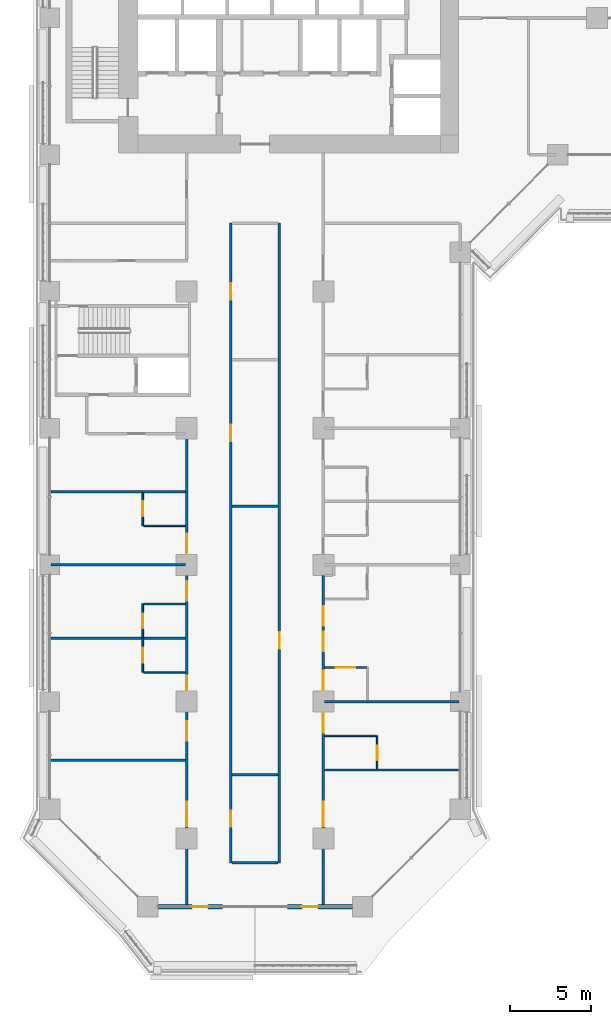
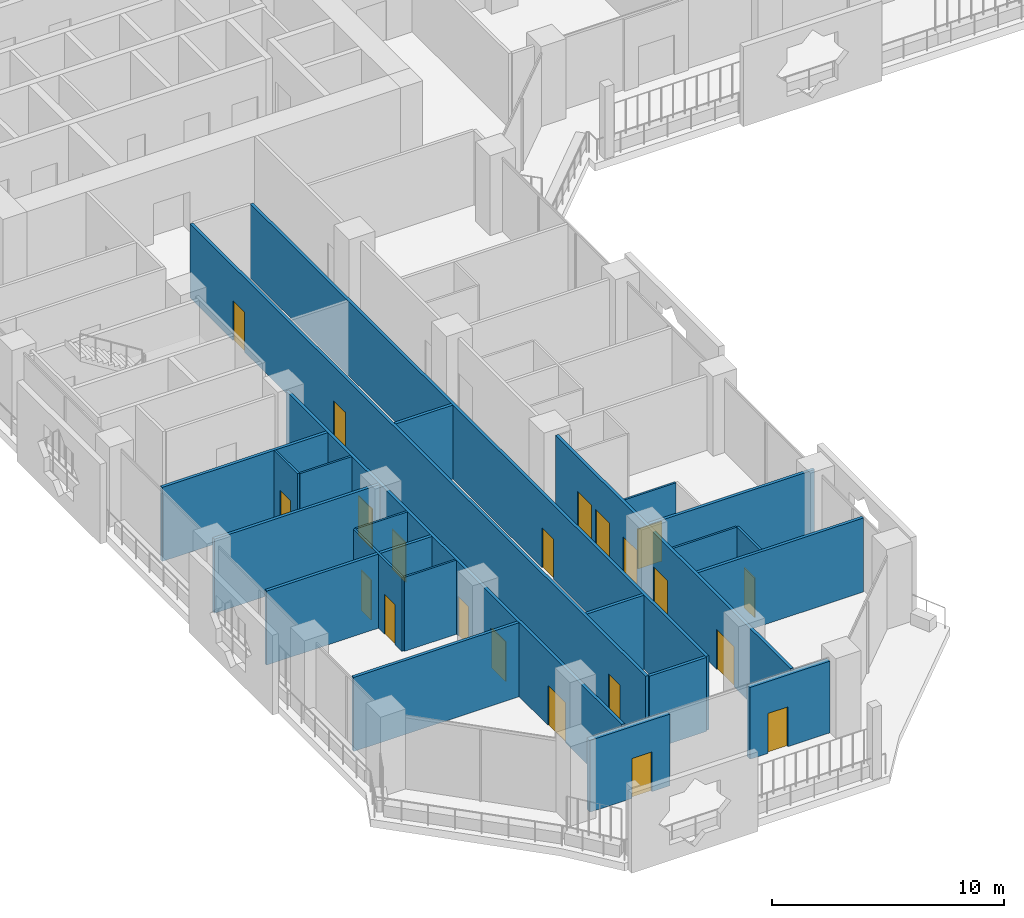
# One storey, part 13 of 27: 23 walls, 21 doors, 21 openings.
"""IFC4 building model written with IfcOpenShell, lengths in metres."""

from ifc_helpers import new_model, si_unit, direction, frame, frame_2d, origin, place, context, subcontext, project, spatial, rectangle, extrude, material, layer, layer_set, type_object, element, fill, save


model = new_model("IFC4")

# Units and contexts
model_context = context("Model", 3, precision=1e-05, world=origin(), true_north=direction((0.0, 1.0)))
body_context = subcontext(model_context, "Body", "Model", "MODEL_VIEW")
ifc_project = project(units=[si_unit("LENGTHUNIT", "METRE"), si_unit("AREAUNIT", "SQUARE_METRE"), si_unit("VOLUMEUNIT", "CUBIC_METRE"), si_unit("PLANEANGLEUNIT", "RADIAN"), si_unit("MASSUNIT", "GRAM", prefix="KILO")], contexts=[model_context])

# Site, building, storey
site_placement = place(None, origin())
site = spatial("IfcSite", under=ifc_project, at=site_placement, CompositionType="ELEMENT")
building_placement = place(site_placement, origin())
building = spatial("IfcBuilding", under=site, at=building_placement, Name="Kawkab Arch Medical Tower", CompositionType="ELEMENT")
storey_placement = place(building_placement, frame((0.0, 0.0, 85.39990234375)))
storey = spatial("IfcBuildingStorey", under=building, at=storey_placement, Name="L19", CompositionType="ELEMENT", Elevation=85.39990234375)

# Wall, opening, door
ifc_material_1 = material(Name="Bronze clad insulated wall panel")
ifc_layer_1 = layer(ifc_material_1, 0.25)
ifc_layer_set_1 = layer_set([ifc_layer_1], Name="Bronze clad insulated wall panel")
wall_type_1 = type_object("IfcWallType", Name="External wall bay 250", PredefinedType="SOLIDWALL", material=ifc_layer_set_1)
wall_1_placement = place(storey_placement, frame((6.625, -71.39990234375, 0.0), z_axis=(0.0, 0.0, 1.0), x_axis=(1.0, 0.0, 0.0)))
wall_1 = element("IfcWall", 1, at=wall_1_placement, inside=storey, type_object=wall_type_1, Name="External wall bay L19.R03.1.1", PredefinedType="SOLIDWALL", context=body_context, shape_type="SweptSolid", body=[
    extrude(rectangle(XDim=3.9833984375, YDim=0.25, at=frame_2d((1.99169921875, 0.0))), origin(), (0.0, 0.0, 1.0), 3.780029296875),
])
opening_1_placement = place(wall_1_placement, frame((2.091796875, 0.0, 0.0)))
opening_1 = element("IfcOpeningElement", 2, at=opening_1_placement, cuts=wall_1, Name="Opening W15B-701", PredefinedType="OPENING", context=body_context, shape_type="SweptSolid", body=[
    extrude(rectangle(XDim=1.0, YDim=2.10009765625, at=frame_2d((0.5, 1.050048828125))), frame((0.0, 0.135009765625, 0.0), z_axis=(0.0, -1.0, 0.0), x_axis=(1.0, 0.0, 0.0)), (0.0, 0.0, 1.0), 0.27001953125),
])
ifc_material_2 = material(Name="Bronze anodised aluminium door with tinted glass", Category="aluminium")
door_type_1 = type_object("IfcDoorType", Name="Single external door 1000 x 2100", OperationType="SINGLE_SWING_LEFT", PredefinedType="DOOR", material=ifc_material_2)
door_1_placement = place(opening_1_placement, origin())
door_1 = element("IfcDoor", 3, at=door_1_placement, inside=storey, type_object=door_type_1, Name="External door L19.R03.1.1", OperationType="SINGLE_SWING_LEFT", OverallHeight=2.10009765625, OverallWidth=1.0, PredefinedType="DOOR", context=body_context, shape_type="SweptSolid", body=[
    extrude(rectangle(XDim=1.0, YDim=2.10009765625, at=frame_2d((0.5, 1.050048828125))), frame((0.0, 0.02490234375, 0.0), z_axis=(0.0, -1.0, 0.0), x_axis=(1.0, 0.0, 0.0)), (0.0, 0.0, 1.0), 0.050048828125),
])
fill(opening_1, door_1)

wall_2_placement = place(storey_placement, frame((14.591552734375, -71.39990234375, 0.0), z_axis=(0.0, 0.0, 1.0), x_axis=(1.0, 0.0, 0.0)))
wall_2 = element("IfcWall", 4, at=wall_2_placement, inside=storey, type_object=wall_type_1, Name="External wall bay L19.R03.1.3", PredefinedType="SOLIDWALL", context=body_context, shape_type="SweptSolid", body=[
    extrude(rectangle(XDim=3.9833984375, YDim=0.25, at=frame_2d((1.99169921875, 0.0))), origin(), (0.0, 0.0, 1.0), 3.780029296875),
])
opening_2_placement = place(wall_2_placement, frame((0.8916015625, 0.0, 0.0)))
opening_2 = element("IfcOpeningElement", 5, at=opening_2_placement, cuts=wall_2, Name="Opening W15B-701", PredefinedType="OPENING", context=body_context, shape_type="SweptSolid", body=[
    extrude(rectangle(XDim=1.0, YDim=2.10009765625, at=frame_2d((0.5, 1.050048828125))), frame((0.0, 0.135009765625, 0.0), z_axis=(0.0, -1.0, 0.0), x_axis=(1.0, 0.0, 0.0)), (0.0, 0.0, 1.0), 0.27001953125),
])
door_2_placement = place(opening_2_placement, origin())
door_2 = element("IfcDoor", 6, at=door_2_placement, inside=storey, type_object=door_type_1, Name="External door L19.R03.1.3", OperationType="SINGLE_SWING_LEFT", OverallHeight=2.10009765625, OverallWidth=1.0, PredefinedType="DOOR", context=body_context, shape_type="SweptSolid", body=[
    extrude(rectangle(XDim=1.0, YDim=2.10009765625, at=frame_2d((0.5, 1.050048828125))), frame((0.0, 0.02490234375, 0.0), z_axis=(0.0, -1.0, 0.0), x_axis=(1.0, 0.0, 0.0)), (0.0, 0.0, 1.0), 0.050048828125),
])
fill(opening_2, door_2)

# Walls
ifc_material_3 = material(Name="Gypsum board partition on steel studs", Category="steel")
ifc_layer_2 = layer(ifc_material_3, 0.10009765625)
ifc_layer_set_2 = layer_set([ifc_layer_2], Name="Gypsum board partition on steel studs")
wall_type_2 = type_object("IfcWallType", Name="Partition 100", PredefinedType="PARTITIONING", material=ifc_layer_set_2)
wall_3_placement = place(storey_placement, frame((16.875, -60.89990234375, 0.0), z_axis=(0.0, 0.0, 1.0), x_axis=(1.0, 0.0, 0.0)))
element("IfcWall", 7, at=wall_3_placement, inside=storey, type_object=wall_type_2, Name="Partition 100 w001", PredefinedType="PARTITIONING", context=body_context, shape_type="SweptSolid", body=[
    extrude(rectangle(XDim=3.175048828125, YDim=0.10009765625, at=frame_2d((1.58740234375, 0.0))), origin(), (0.0, 0.0, 1.0), 3.900146484375),
])
wall_4_placement = place(storey_placement, frame((5.7509765625, -57.0, 0.0), z_axis=(0.0, 0.0, 1.0), x_axis=(1.0, 0.0, 0.0)))
element("IfcWall", 8, at=wall_4_placement, inside=storey, type_object=wall_type_2, Name="Partition 100 w002", PredefinedType="PARTITIONING", context=body_context, shape_type="SweptSolid", body=[
    extrude(rectangle(XDim=2.573974609375, YDim=0.10009765625, at=frame_2d((1.287109375, 0.0))), origin(), (0.0, 0.0, 1.0), 3.900146484375),
])

# Wall, opening, door
wall_5_placement = place(storey_placement, frame((16.875, -56.699951171875, 0.0), z_axis=(0.0, 0.0, 1.0), x_axis=(1.0, 0.0, 0.0)))
wall_5 = element("IfcWall", 9, at=wall_5_placement, inside=storey, type_object=wall_type_2, Name="Partition 100 w003", PredefinedType="PARTITIONING", context=body_context, shape_type="SweptSolid", body=[
    extrude(rectangle(XDim=2.574951171875, YDim=0.10009765625, at=frame_2d((1.28759765625, 0.0))), origin(), (0.0, 0.0, 1.0), 3.900146484375),
])
opening_3_placement = place(wall_5_placement, frame((0.675048828125, 0.0, 0.0)))
opening_3 = element("IfcOpeningElement", 10, at=opening_3_placement, cuts=wall_5, Name="Opening W15B-068", PredefinedType="OPENING", context=body_context, shape_type="SweptSolid", body=[
    extrude(rectangle(XDim=1.199951171875, YDim=2.10009765625, at=frame_2d((0.60009765625, 1.050048828125))), frame((0.0, 0.06005859375, 0.0), z_axis=(0.0, -1.0, 0.0), x_axis=(1.0, 0.0, 0.0)), (0.0, 0.0, 1.0), 0.1201171875),
])
ifc_material_4 = material(Name="Timber door leaf", Category="wood")
door_type_2 = type_object("IfcDoorType", Name="Single door 1200x2100", OperationType="NOTDEFINED", PredefinedType="DOOR", material=ifc_material_4)
door_3_placement = place(opening_3_placement, origin())
door_3 = element("IfcDoor", 11, at=door_3_placement, inside=storey, type_object=door_type_2, Name="Door W15B-068", OperationType="SINGLE_SWING_RIGHT", OverallHeight=2.10009765625, OverallWidth=1.199951171875, PredefinedType="DOOR", context=body_context, shape_type="SweptSolid", body=[
    extrude(rectangle(XDim=1.199951171875, YDim=2.10009765625, at=frame_2d((0.60009765625, 1.050048828125))), frame((0.0, 0.02490234375, 0.0), z_axis=(0.0, -1.0, 0.0), x_axis=(1.0, 0.0, 0.0)), (0.0, 0.0, 1.0), 0.050048828125),
])
fill(opening_3, door_3)

# Walls
for number, where, z_axis, x_axis, name in (
    (12, (5.75, -52.800048828125, 0.0), (0.0, 0.0, 1.0), (1.0, 0.0, 0.0), "Partition 100 w004"),
    (13, (5.75, -48.0, 0.0), (0.0, 0.0, 1.0), (1.0, 0.0, 0.0), "Partition 100 w007"),
):
    element("IfcWall", number, at=place(storey_placement, frame(where, z_axis=z_axis, x_axis=x_axis)), inside=storey, type_object=wall_type_2, Name=name, PredefinedType="PARTITIONING", context=body_context, shape_type="SweptSolid", body=[
        extrude(rectangle(XDim=2.574951171875, YDim=0.10009765625, at=frame_2d((1.28759765625, 0.0))), origin(), (0.0, 0.0, 1.0), 3.900146484375),
    ])

# Wall, openings, doors
wall_6_placement = place(storey_placement, frame((5.699951171875, -56.998046875, 0.0), z_axis=(0.0, 0.0, 1.0), x_axis=(0.0, 1.0, 0.0)))
wall_6 = element("IfcWall", 14, at=wall_6_placement, inside=storey, type_object=wall_type_2, Name="Partition 100 w020", PredefinedType="PARTITIONING", context=body_context, shape_type="SweptSolid", body=[
    extrude(rectangle(XDim=4.197998046875, YDim=0.10009765625, at=frame_2d((2.09912109375, 0.0))), origin(), (0.0, 0.0, 1.0), 3.900146484375),
])
opening_4_placement = place(wall_6_placement, frame((2.697998046875, 0.0, 0.0)))
opening_4 = element("IfcOpeningElement", 15, at=opening_4_placement, cuts=wall_6, Name="Opening W15B-021", PredefinedType="OPENING", context=body_context, shape_type="SweptSolid", body=[
    extrude(rectangle(XDim=0.89990234375, YDim=2.10009765625, at=frame_2d((0.449951171875, 1.050048828125))), frame((0.0, 0.06005859375, 0.0), z_axis=(0.0, -1.0, 0.0), x_axis=(1.0, 0.0, 0.0)), (0.0, 0.0, 1.0), 0.1201171875),
])
opening_5_placement = place(wall_6_placement, frame((0.59912109375, 0.0, 0.0)))
opening_5 = element("IfcOpeningElement", 16, at=opening_5_placement, cuts=wall_6, Name="Opening W15B-022", PredefinedType="OPENING", context=body_context, shape_type="SweptSolid", body=[
    extrude(rectangle(XDim=0.89990234375, YDim=2.10009765625, at=frame_2d((0.449951171875, 1.050048828125))), frame((0.0, 0.06005859375, 0.0), z_axis=(0.0, -1.0, 0.0), x_axis=(1.0, 0.0, 0.0)), (0.0, 0.0, 1.0), 0.1201171875),
])
ifc_material_5 = material(Name="Timber door leaf", Category="wood")
door_type_3 = type_object("IfcDoorType", Name="Single door 900x2100", OperationType="NOTDEFINED", PredefinedType="DOOR", material=ifc_material_5)
door_4_placement = place(opening_4_placement, origin())
door_4 = element("IfcDoor", 17, at=door_4_placement, inside=storey, type_object=door_type_3, Name="Door W15B-021", OperationType="SINGLE_SWING_RIGHT", OverallHeight=2.10009765625, OverallWidth=0.89990234375, PredefinedType="DOOR", context=body_context, shape_type="SweptSolid", body=[
    extrude(rectangle(XDim=0.89990234375, YDim=2.10009765625, at=frame_2d((0.449951171875, 1.050048828125))), frame((0.0, 0.02490234375, 0.0), z_axis=(0.0, -1.0, 0.0), x_axis=(1.0, 0.0, 0.0)), (0.0, 0.0, 1.0), 0.050048828125),
])
fill(opening_4, door_4)
door_5_placement = place(opening_5_placement, origin())
door_5 = element("IfcDoor", 18, at=door_5_placement, inside=storey, type_object=door_type_3, Name="Door W15B-022", OperationType="SINGLE_SWING_LEFT", OverallHeight=2.10009765625, OverallWidth=0.89990234375, PredefinedType="DOOR", context=body_context, shape_type="SweptSolid", body=[
    extrude(rectangle(XDim=0.89990234375, YDim=2.10009765625, at=frame_2d((0.449951171875, 1.050048828125))), frame((0.0, 0.02490234375, 0.0), z_axis=(0.0, -1.0, 0.0), x_axis=(1.0, 0.0, 0.0)), (0.0, 0.0, 1.0), 0.050048828125),
])
fill(opening_5, door_5)

# Wall, opening, door
wall_7_placement = place(storey_placement, frame((5.699951171875, -48.0, 0.0), z_axis=(0.0, 0.0, 1.0), x_axis=(0.0, 1.0, 0.0)))
wall_7 = element("IfcWall", 19, at=wall_7_placement, inside=storey, type_object=wall_type_2, Name="Partition 100 w021", PredefinedType="PARTITIONING", context=body_context, shape_type="SweptSolid", body=[
    extrude(rectangle(XDim=2.02490234375, YDim=0.10009765625, at=frame_2d((1.012451171875, 0.0))), origin(), (0.0, 0.0, 1.0), 3.900146484375),
])
opening_6_placement = place(wall_7_placement, frame((0.60009765625, 0.0, 0.0)))
opening_6 = element("IfcOpeningElement", 20, at=opening_6_placement, cuts=wall_7, Name="Opening W15B-020", PredefinedType="OPENING", context=body_context, shape_type="SweptSolid", body=[
    extrude(rectangle(XDim=0.89990234375, YDim=2.10009765625, at=frame_2d((0.449951171875, 1.050048828125))), frame((0.0, 0.06005859375, 0.0), z_axis=(0.0, -1.0, 0.0), x_axis=(1.0, 0.0, 0.0)), (0.0, 0.0, 1.0), 0.1201171875),
])
door_6_placement = place(opening_6_placement, origin())
door_6 = element("IfcDoor", 21, at=door_6_placement, inside=storey, type_object=door_type_3, Name="Door W15B-020", OperationType="SINGLE_SWING_LEFT", OverallHeight=2.10009765625, OverallWidth=0.89990234375, PredefinedType="DOOR", context=body_context, shape_type="SweptSolid", body=[
    extrude(rectangle(XDim=0.89990234375, YDim=2.10009765625, at=frame_2d((0.449951171875, 1.050048828125))), frame((0.0, 0.02490234375, 0.0), z_axis=(0.0, -1.0, 0.0), x_axis=(1.0, 0.0, 0.0)), (0.0, 0.0, 1.0), 0.050048828125),
])
fill(opening_6, door_6)

wall_8_placement = place(storey_placement, frame((20.10009765625, -62.925048828125, 0.0), z_axis=(0.0, 0.0, 1.0), x_axis=(0.0, 1.0, 0.0)))
wall_8 = element("IfcWall", 22, at=wall_8_placement, inside=storey, type_object=wall_type_2, Name="Partition 100 w026", PredefinedType="PARTITIONING", context=body_context, shape_type="SweptSolid", body=[
    extrude(rectangle(XDim=2.025146484375, YDim=0.10009765625, at=frame_2d((1.0126953125, 0.0))), origin(), (0.0, 0.0, 1.0), 3.900146484375),
])
opening_7_placement = place(wall_8_placement, frame((0.52490234375, 0.0, 0.0)))
opening_7 = element("IfcOpeningElement", 23, at=opening_7_placement, cuts=wall_8, Name="Opening W15B-027", PredefinedType="OPENING", context=body_context, shape_type="SweptSolid", body=[
    extrude(rectangle(XDim=0.89990234375, YDim=2.10009765625, at=frame_2d((0.449951171875, 1.050048828125))), frame((0.0, 0.06005859375, 0.0), z_axis=(0.0, -1.0, 0.0), x_axis=(1.0, 0.0, 0.0)), (0.0, 0.0, 1.0), 0.1201171875),
])
door_7_placement = place(opening_7_placement, origin())
door_7 = element("IfcDoor", 24, at=door_7_placement, inside=storey, type_object=door_type_3, Name="Door W15B-027", OperationType="SINGLE_SWING_RIGHT", OverallHeight=2.10009765625, OverallWidth=0.89990234375, PredefinedType="DOOR", context=body_context, shape_type="SweptSolid", body=[
    extrude(rectangle(XDim=0.89990234375, YDim=2.10009765625, at=frame_2d((0.449951171875, 1.050048828125))), frame((0.0, 0.02490234375, 0.0), z_axis=(0.0, -1.0, 0.0), x_axis=(1.0, 0.0, 0.0)), (0.0, 0.0, 1.0), 0.050048828125),
])
fill(opening_7, door_7)

# Walls
ifc_material_6 = material(Name="Gypsum board partition on steel studs, mineral wool", Category="steel")
ifc_layer_3 = layer(ifc_material_6, 0.14990234375)
ifc_layer_set_3 = layer_set([ifc_layer_3], Name="Gypsum board partition on steel studs, mineral wool")
wall_type_3 = type_object("IfcWallType", Name="Partition 150", PredefinedType="PARTITIONING", material=ifc_layer_set_3)
for number, where, z_axis, x_axis, name in (
    (25, (11.175048828125, -68.699951171875, 0.0), (0.0, 0.0, 1.0), (1.0, 0.0, 0.0), "Partition 150 w039"),
    (26, (11.175048828125, -63.300048828125, 0.0), (0.0, 0.0, 1.0), (1.0, 0.0, 0.0), "Partition 150 w040"),
):
    element("IfcWall", number, at=place(storey_placement, frame(where, z_axis=z_axis, x_axis=x_axis)), inside=storey, type_object=wall_type_3, Name=name, PredefinedType="PARTITIONING", context=body_context, shape_type="SweptSolid", body=[
        extrude(rectangle(XDim=2.849853515625, YDim=0.14990234375, at=frame_2d((1.4248046875, 0.0))), origin(), (0.0, 0.0, 1.0), 3.900146484375),
    ])
wall_9_placement = place(storey_placement, frame((16.875, -63.0, 0.0), z_axis=(0.0, 0.0, 1.0), x_axis=(1.0, 0.0, 0.0)))
element("IfcWall", 27, at=wall_9_placement, inside=storey, type_object=wall_type_3, Name="Partition 150 w041", PredefinedType="PARTITIONING", context=body_context, shape_type="SweptSolid", body=[
    extrude(rectangle(XDim=8.2451171875, YDim=0.14990234375, at=frame_2d((4.12255859375, 0.0))), origin(), (0.0, 0.0, 1.0), 3.900146484375),
])
wall_10_placement = place(storey_placement, frame((0.080078125, -62.39990234375, 0.0), z_axis=(0.0, 0.0, 1.0), x_axis=(1.0, 0.0, 0.0)))
element("IfcWall", 28, at=wall_10_placement, inside=storey, type_object=wall_type_3, Name="Partition 150 w042", PredefinedType="PARTITIONING", context=body_context, shape_type="SweptSolid", body=[
    extrude(rectangle(XDim=8.244873046875, YDim=0.14990234375, at=frame_2d((4.12255859375, 0.0))), origin(), (0.0, 0.0, 1.0), 3.900146484375),
])
wall_11_placement = place(storey_placement, frame((16.875, -58.800048828125, 0.0), z_axis=(0.0, 0.0, 1.0), x_axis=(1.0, 0.0, 0.0)))
element("IfcWall", 29, at=wall_11_placement, inside=storey, type_object=wall_type_3, Name="Partition 150 w043", PredefinedType="PARTITIONING", context=body_context, shape_type="SweptSolid", body=[
    extrude(rectangle(XDim=8.2451171875, YDim=0.14990234375, at=frame_2d((4.12255859375, 0.0))), origin(), (0.0, 0.0, 1.0), 3.900146484375),
])
for number, where, z_axis, x_axis, name in (
    (30, (0.080078125, -54.89990234375, 0.0), (0.0, 0.0, 1.0), (1.0, 0.0, 0.0), "Partition 150 w044"),
    (31, (0.080078125, -50.39990234375, 0.0), (0.0, 0.0, 1.0), (1.0, 0.0, 0.0), "Partition 150 w046"),
):
    element("IfcWall", number, at=place(storey_placement, frame(where, z_axis=z_axis, x_axis=x_axis)), inside=storey, type_object=wall_type_3, Name=name, PredefinedType="PARTITIONING", context=body_context, shape_type="SweptSolid", body=[
        extrude(rectangle(XDim=8.244873046875, YDim=0.14990234375, at=frame_2d((4.12255859375, 0.0))), origin(), (0.0, 0.0, 1.0), 3.900146484375),
    ])
wall_12_placement = place(storey_placement, frame((11.175048828125, -46.800048828125, 0.0), z_axis=(0.0, 0.0, 1.0), x_axis=(1.0, 0.0, 0.0)))
element("IfcWall", 32, at=wall_12_placement, inside=storey, type_object=wall_type_3, Name="Partition 150 w048", PredefinedType="PARTITIONING", context=body_context, shape_type="SweptSolid", body=[
    extrude(rectangle(XDim=2.849853515625, YDim=0.14990234375, at=frame_2d((1.4248046875, 0.0))), origin(), (0.0, 0.0, 1.0), 3.900146484375),
])
wall_13_placement = place(storey_placement, frame((0.080078125, -45.89990234375, 0.0), z_axis=(0.0, 0.0, 1.0), x_axis=(1.0, 0.0, 0.0)))
element("IfcWall", 33, at=wall_13_placement, inside=storey, type_object=wall_type_3, Name="Partition 150 w050", PredefinedType="PARTITIONING", context=body_context, shape_type="SweptSolid", body=[
    extrude(rectangle(XDim=8.244873046875, YDim=0.14990234375, at=frame_2d((4.12255859375, 0.0))), origin(), (0.0, 0.0, 1.0), 3.900146484375),
])

# Wall, openings, doors
wall_14_placement = place(storey_placement, frame((8.39990234375, -71.320068359375, 0.0), z_axis=(0.0, 0.0, 1.0), x_axis=(0.0, 1.0, 0.0)))
wall_14 = element("IfcWall", 34, at=wall_14_placement, inside=storey, type_object=wall_type_3, Name="Partition 150 w071", PredefinedType="PARTITIONING", context=body_context, shape_type="SweptSolid", body=[
    extrude(rectangle(XDim=28.969970703125, YDim=0.14990234375, at=frame_2d((14.48486328125, 0.0))), origin(), (0.0, 0.0, 1.0), 3.900146484375),
])
opening_8_placement = place(wall_14_placement, frame((21.6201171875, 0.0, 0.0)))
opening_8 = element("IfcOpeningElement", 35, at=opening_8_placement, cuts=wall_14, Name="Opening W15B-060", PredefinedType="OPENING", context=body_context, shape_type="SweptSolid", body=[
    extrude(rectangle(XDim=1.199951171875, YDim=2.10009765625, at=frame_2d((0.60009765625, 1.050048828125))), frame((0.0, 0.0849609375, 0.0), z_axis=(0.0, -1.0, 0.0), x_axis=(1.0, 0.0, 0.0)), (0.0, 0.0, 1.0), 0.169921875),
])
opening_9_placement = place(wall_14_placement, frame((18.719970703125, 0.0, 0.0)))
opening_9 = element("IfcOpeningElement", 36, at=opening_9_placement, cuts=wall_14, Name="Opening W15B-061", PredefinedType="OPENING", context=body_context, shape_type="SweptSolid", body=[
    extrude(rectangle(XDim=1.199951171875, YDim=2.10009765625, at=frame_2d((0.60009765625, 1.050048828125))), frame((0.0, 0.0849609375, 0.0), z_axis=(0.0, -1.0, 0.0), x_axis=(1.0, 0.0, 0.0)), (0.0, 0.0, 1.0), 0.169921875),
])
opening_10_placement = place(wall_14_placement, frame((10.1201171875, 0.0, 0.0)))
opening_10 = element("IfcOpeningElement", 37, at=opening_10_placement, cuts=wall_14, Name="Opening W15B-062", PredefinedType="OPENING", context=body_context, shape_type="SweptSolid", body=[
    extrude(rectangle(XDim=1.199951171875, YDim=2.10009765625, at=frame_2d((0.60009765625, 1.050048828125))), frame((0.0, 0.0849609375, 0.0), z_axis=(0.0, -1.0, 0.0), x_axis=(1.0, 0.0, 0.0)), (0.0, 0.0, 1.0), 0.169921875),
])
opening_11_placement = place(wall_14_placement, frame((13.219970703125, 0.0, 0.0)))
opening_11 = element("IfcOpeningElement", 38, at=opening_11_placement, cuts=wall_14, Name="Opening W15B-029", PredefinedType="OPENING", context=body_context, shape_type="SweptSolid", body=[
    extrude(rectangle(XDim=0.89990234375, YDim=2.10009765625, at=frame_2d((0.449951171875, 1.050048828125))), frame((0.0, 0.0849609375, 0.0), z_axis=(0.0, -1.0, 0.0), x_axis=(1.0, 0.0, 0.0)), (0.0, 0.0, 1.0), 0.169921875),
])
opening_12_placement = place(wall_14_placement, frame((4.8701171875, 0.0, 0.0)))
opening_12 = element("IfcOpeningElement", 39, at=opening_12_placement, cuts=wall_14, Name="Opening W15B-006", PredefinedType="OPENING", context=body_context, shape_type="SweptSolid", body=[
    extrude(rectangle(XDim=1.5, YDim=2.10009765625, at=frame_2d((0.75, 1.050048828125))), frame((0.0, 0.0849609375, 0.0), z_axis=(0.0, -1.0, 0.0), x_axis=(1.0, 0.0, 0.0)), (0.0, 0.0, 1.0), 0.169921875),
])
ifc_material_7 = material(Name="Hollow metal door leaf")
door_type_4 = type_object("IfcDoorType", Name="Double door 1500x2100 FD30S", OperationType="NOTDEFINED", PredefinedType="DOOR", material=ifc_material_7)
door_8_placement = place(opening_12_placement, origin())
door_8 = element("IfcDoor", 40, at=door_8_placement, inside=storey, type_object=door_type_4, Name="Door W15B-006", OperationType="DOUBLE_DOOR_SINGLE_SWING", OverallHeight=2.10009765625, OverallWidth=1.5, PredefinedType="DOOR", context=body_context, shape_type="SweptSolid", body=[
    extrude(rectangle(XDim=1.5, YDim=2.10009765625, at=frame_2d((0.75, 1.050048828125))), frame((0.0, 0.02490234375, 0.0), z_axis=(0.0, -1.0, 0.0), x_axis=(1.0, 0.0, 0.0)), (0.0, 0.0, 1.0), 0.050048828125),
])
fill(opening_12, door_8)
ifc_material_8 = material(Name="Hollow metal door leaf")
door_type_5 = type_object("IfcDoorType", Name="Single door 1200x2100 FD30S", OperationType="NOTDEFINED", PredefinedType="DOOR", material=ifc_material_8)
door_9_placement = place(opening_8_placement, origin())
door_9 = element("IfcDoor", 41, at=door_9_placement, inside=storey, type_object=door_type_5, Name="Door W15B-060", OperationType="SINGLE_SWING_RIGHT", OverallHeight=2.10009765625, OverallWidth=1.199951171875, PredefinedType="DOOR", context=body_context, shape_type="SweptSolid", body=[
    extrude(rectangle(XDim=1.199951171875, YDim=2.10009765625, at=frame_2d((0.60009765625, 1.050048828125))), frame((0.0, 0.02490234375, 0.0), z_axis=(0.0, -1.0, 0.0), x_axis=(1.0, 0.0, 0.0)), (0.0, 0.0, 1.0), 0.050048828125),
])
fill(opening_8, door_9)
door_10_placement = place(opening_9_placement, origin())
door_10 = element("IfcDoor", 42, at=door_10_placement, inside=storey, type_object=door_type_5, Name="Door W15B-061", OperationType="SINGLE_SWING_RIGHT", OverallHeight=2.10009765625, OverallWidth=1.199951171875, PredefinedType="DOOR", context=body_context, shape_type="SweptSolid", body=[
    extrude(rectangle(XDim=1.199951171875, YDim=2.10009765625, at=frame_2d((0.60009765625, 1.050048828125))), frame((0.0, 0.02490234375, 0.0), z_axis=(0.0, -1.0, 0.0), x_axis=(1.0, 0.0, 0.0)), (0.0, 0.0, 1.0), 0.050048828125),
])
fill(opening_9, door_10)
door_11_placement = place(opening_10_placement, origin())
door_11 = element("IfcDoor", 43, at=door_11_placement, inside=storey, type_object=door_type_5, Name="Door W15B-062", OperationType="SINGLE_SWING_LEFT", OverallHeight=2.10009765625, OverallWidth=1.199951171875, PredefinedType="DOOR", context=body_context, shape_type="SweptSolid", body=[
    extrude(rectangle(XDim=1.199951171875, YDim=2.10009765625, at=frame_2d((0.60009765625, 1.050048828125))), frame((0.0, 0.02490234375, 0.0), z_axis=(0.0, -1.0, 0.0), x_axis=(1.0, 0.0, 0.0)), (0.0, 0.0, 1.0), 0.050048828125),
])
fill(opening_10, door_11)
ifc_material_9 = material(Name="Hollow metal door leaf")
door_type_6 = type_object("IfcDoorType", Name="Single door 900x2100 FD30S", OperationType="NOTDEFINED", PredefinedType="DOOR", material=ifc_material_9)
door_12_placement = place(opening_11_placement, origin())
door_12 = element("IfcDoor", 44, at=door_12_placement, inside=storey, type_object=door_type_6, Name="Door W15B-029", OperationType="SINGLE_SWING_LEFT", OverallHeight=2.10009765625, OverallWidth=0.89990234375, PredefinedType="DOOR", context=body_context, shape_type="SweptSolid", body=[
    extrude(rectangle(XDim=0.89990234375, YDim=2.10009765625, at=frame_2d((0.449951171875, 1.050048828125))), frame((0.0, 0.02490234375, 0.0), z_axis=(0.0, -1.0, 0.0), x_axis=(1.0, 0.0, 0.0)), (0.0, 0.0, 1.0), 0.050048828125),
])
fill(opening_11, door_12)

wall_15_placement = place(storey_placement, frame((11.10009765625, -68.699951171875, 0.0), z_axis=(0.0, 0.0, 1.0), x_axis=(0.0, 1.0, 0.0)))
wall_15 = element("IfcWall", 45, at=wall_15_placement, inside=storey, type_object=wall_type_3, Name="Partition 150 w073", PredefinedType="PARTITIONING", context=body_context, shape_type="SweptSolid", body=[
    extrude(rectangle(XDim=39.300048828125, YDim=0.14990234375, at=frame_2d((19.64990234375, 0.0))), origin(), (0.0, 0.0, 1.0), 3.900146484375),
])
opening_13_placement = place(wall_15_placement, frame((34.60009765625, 0.0, 0.0)))
opening_13 = element("IfcOpeningElement", 46, at=opening_13_placement, cuts=wall_15, Name="Opening W15B-041", PredefinedType="OPENING", context=body_context, shape_type="SweptSolid", body=[
    extrude(rectangle(XDim=1.0, YDim=2.10009765625, at=frame_2d((0.5, 1.050048828125))), frame((0.0, 0.0849609375, 0.0), z_axis=(0.0, -1.0, 0.0), x_axis=(1.0, 0.0, 0.0)), (0.0, 0.0, 1.0), 0.169921875),
])
opening_14_placement = place(wall_15_placement, frame((25.89990234375, 0.0, 0.0)))
opening_14 = element("IfcOpeningElement", 47, at=opening_14_placement, cuts=wall_15, Name="Opening W15B-042", PredefinedType="OPENING", context=body_context, shape_type="SweptSolid", body=[
    extrude(rectangle(XDim=1.0, YDim=2.10009765625, at=frame_2d((0.5, 1.050048828125))), frame((0.0, 0.0849609375, 0.0), z_axis=(0.0, -1.0, 0.0), x_axis=(1.0, 0.0, 0.0)), (0.0, 0.0, 1.0), 0.169921875),
])
opening_15_placement = place(wall_15_placement, frame((2.199951171875, 0.0, 0.0)))
opening_15 = element("IfcOpeningElement", 48, at=opening_15_placement, cuts=wall_15, Name="Opening W15B-044", PredefinedType="OPENING", context=body_context, shape_type="SweptSolid", body=[
    extrude(rectangle(XDim=1.0, YDim=2.10009765625, at=frame_2d((0.5, 1.050048828125))), frame((0.0, 0.0849609375, 0.0), z_axis=(0.0, -1.0, 0.0), x_axis=(1.0, 0.0, 0.0)), (0.0, 0.0, 1.0), 0.169921875),
])
ifc_material_10 = material(Name="Hollow metal door leaf")
door_type_7 = type_object("IfcDoorType", Name="Single door 1000x2100 FD30S", OperationType="NOTDEFINED", PredefinedType="DOOR", material=ifc_material_10)
door_13_placement = place(opening_13_placement, origin())
door_13 = element("IfcDoor", 49, at=door_13_placement, inside=storey, type_object=door_type_7, Name="Door W15B-041", OperationType="SINGLE_SWING_LEFT", OverallHeight=2.10009765625, OverallWidth=1.0, PredefinedType="DOOR", context=body_context, shape_type="SweptSolid", body=[
    extrude(rectangle(XDim=1.0, YDim=2.10009765625, at=frame_2d((0.5, 1.050048828125))), frame((0.0, 0.02490234375, 0.0), z_axis=(0.0, -1.0, 0.0), x_axis=(1.0, 0.0, 0.0)), (0.0, 0.0, 1.0), 0.050048828125),
])
fill(opening_13, door_13)
door_14_placement = place(opening_14_placement, origin())
door_14 = element("IfcDoor", 50, at=door_14_placement, inside=storey, type_object=door_type_7, Name="Door W15B-042", OperationType="SINGLE_SWING_LEFT", OverallHeight=2.10009765625, OverallWidth=1.0, PredefinedType="DOOR", context=body_context, shape_type="SweptSolid", body=[
    extrude(rectangle(XDim=1.0, YDim=2.10009765625, at=frame_2d((0.5, 1.050048828125))), frame((0.0, 0.02490234375, 0.0), z_axis=(0.0, -1.0, 0.0), x_axis=(1.0, 0.0, 0.0)), (0.0, 0.0, 1.0), 0.050048828125),
])
fill(opening_14, door_14)
door_15_placement = place(opening_15_placement, origin())
door_15 = element("IfcDoor", 51, at=door_15_placement, inside=storey, type_object=door_type_7, Name="Door W15B-044", OperationType="SINGLE_SWING_RIGHT", OverallHeight=2.10009765625, OverallWidth=1.0, PredefinedType="DOOR", context=body_context, shape_type="SweptSolid", body=[
    extrude(rectangle(XDim=1.0, YDim=2.10009765625, at=frame_2d((0.5, 1.050048828125))), frame((0.0, 0.02490234375, 0.0), z_axis=(0.0, -1.0, 0.0), x_axis=(1.0, 0.0, 0.0)), (0.0, 0.0, 1.0), 0.050048828125),
])
fill(opening_15, door_15)

# Wall, opening, door
wall_16_placement = place(storey_placement, frame((14.10009765625, -68.699951171875, 0.0), z_axis=(0.0, 0.0, 1.0), x_axis=(0.0, 1.0, 0.0)))
wall_16 = element("IfcWall", 52, at=wall_16_placement, inside=storey, type_object=wall_type_3, Name="Partition 150 w074", PredefinedType="PARTITIONING", context=body_context, shape_type="SweptSolid", body=[
    extrude(rectangle(XDim=39.300048828125, YDim=0.14990234375, at=frame_2d((19.64990234375, 0.0))), origin(), (0.0, 0.0, 1.0), 3.900146484375),
])
opening_16_placement = place(wall_16_placement, frame((13.14990234375, 0.0, 0.0)))
opening_16 = element("IfcOpeningElement", 53, at=opening_16_placement, cuts=wall_16, Name="Opening W15B-043", PredefinedType="OPENING", context=body_context, shape_type="SweptSolid", body=[
    extrude(rectangle(XDim=1.0, YDim=2.10009765625, at=frame_2d((0.5, 1.050048828125))), frame((0.0, 0.0849609375, 0.0), z_axis=(0.0, -1.0, 0.0), x_axis=(1.0, 0.0, 0.0)), (0.0, 0.0, 1.0), 0.169921875),
])
door_16_placement = place(opening_16_placement, origin())
door_16 = element("IfcDoor", 54, at=door_16_placement, inside=storey, type_object=door_type_7, Name="Door W15B-043", OperationType="SINGLE_SWING_LEFT", OverallHeight=2.10009765625, OverallWidth=1.0, PredefinedType="DOOR", context=body_context, shape_type="SweptSolid", body=[
    extrude(rectangle(XDim=1.0, YDim=2.10009765625, at=frame_2d((0.5, 1.050048828125))), frame((0.0, 0.02490234375, 0.0), z_axis=(0.0, -1.0, 0.0), x_axis=(1.0, 0.0, 0.0)), (0.0, 0.0, 1.0), 0.050048828125),
])
fill(opening_16, door_16)

# Wall, openings, doors
wall_17_placement = place(storey_placement, frame((16.800048828125, -71.320068359375, 0.0), z_axis=(0.0, 0.0, 1.0), x_axis=(0.0, 1.0, 0.0)))
wall_17 = element("IfcWall", 55, at=wall_17_placement, inside=storey, type_object=wall_type_3, Name="Partition 150 w075", PredefinedType="PARTITIONING", context=body_context, shape_type="SweptSolid", body=[
    extrude(rectangle(XDim=20.26806640625, YDim=0.14990234375, at=frame_2d((10.134033203125, 0.0))), origin(), (0.0, 0.0, 1.0), 3.900146484375),
])
opening_17_placement = place(wall_17_placement, frame((17.169921875, 0.0, 0.0)))
opening_17 = element("IfcOpeningElement", 56, at=opening_17_placement, cuts=wall_17, Name="Opening W15B-065", PredefinedType="OPENING", context=body_context, shape_type="SweptSolid", body=[
    extrude(rectangle(XDim=1.199951171875, YDim=2.10009765625, at=frame_2d((0.60009765625, 1.050048828125))), frame((0.0, 0.0849609375, 0.0), z_axis=(0.0, -1.0, 0.0), x_axis=(1.0, 0.0, 0.0)), (0.0, 0.0, 1.0), 0.169921875),
])
opening_18_placement = place(wall_17_placement, frame((15.6201171875, 0.0, 0.0)))
opening_18 = element("IfcOpeningElement", 57, at=opening_18_placement, cuts=wall_17, Name="Opening W15B-066", PredefinedType="OPENING", context=body_context, shape_type="SweptSolid", body=[
    extrude(rectangle(XDim=1.199951171875, YDim=2.10009765625, at=frame_2d((0.60009765625, 1.050048828125))), frame((0.0, 0.0849609375, 0.0), z_axis=(0.0, -1.0, 0.0), x_axis=(1.0, 0.0, 0.0)), (0.0, 0.0, 1.0), 0.169921875),
])
opening_19_placement = place(wall_17_placement, frame((13.219970703125, 0.0, 0.0)))
opening_19 = element("IfcOpeningElement", 58, at=opening_19_placement, cuts=wall_17, Name="Opening W15B-067", PredefinedType="OPENING", context=body_context, shape_type="SweptSolid", body=[
    extrude(rectangle(XDim=1.199951171875, YDim=2.10009765625, at=frame_2d((0.60009765625, 1.050048828125))), frame((0.0, 0.0849609375, 0.0), z_axis=(0.0, -1.0, 0.0), x_axis=(1.0, 0.0, 0.0)), (0.0, 0.0, 1.0), 0.169921875),
])
opening_20_placement = place(wall_17_placement, frame((10.6201171875, 0.0, 0.0)))
opening_20 = element("IfcOpeningElement", 59, at=opening_20_placement, cuts=wall_17, Name="Opening W15B-069", PredefinedType="OPENING", context=body_context, shape_type="SweptSolid", body=[
    extrude(rectangle(XDim=1.199951171875, YDim=2.10009765625, at=frame_2d((0.60009765625, 1.050048828125))), frame((0.0, 0.0849609375, 0.0), z_axis=(0.0, -1.0, 0.0), x_axis=(1.0, 0.0, 0.0)), (0.0, 0.0, 1.0), 0.169921875),
])
opening_21_placement = place(wall_17_placement, frame((4.8701171875, 0.0, 0.0)))
opening_21 = element("IfcOpeningElement", 60, at=opening_21_placement, cuts=wall_17, Name="Opening W15B-008", PredefinedType="OPENING", context=body_context, shape_type="SweptSolid", body=[
    extrude(rectangle(XDim=1.5, YDim=2.10009765625, at=frame_2d((0.75, 1.050048828125))), frame((0.0, 0.0849609375, 0.0), z_axis=(0.0, -1.0, 0.0), x_axis=(1.0, 0.0, 0.0)), (0.0, 0.0, 1.0), 0.169921875),
])
door_17_placement = place(opening_21_placement, origin())
door_17 = element("IfcDoor", 61, at=door_17_placement, inside=storey, type_object=door_type_4, Name="Door W15B-008", OperationType="DOUBLE_DOOR_SINGLE_SWING", OverallHeight=2.10009765625, OverallWidth=1.5, PredefinedType="DOOR", context=body_context, shape_type="SweptSolid", body=[
    extrude(rectangle(XDim=1.5, YDim=2.10009765625, at=frame_2d((0.75, 1.050048828125))), frame((0.0, 0.02490234375, 0.0), z_axis=(0.0, -1.0, 0.0), x_axis=(1.0, 0.0, 0.0)), (0.0, 0.0, 1.0), 0.050048828125),
])
fill(opening_21, door_17)
door_18_placement = place(opening_17_placement, origin())
door_18 = element("IfcDoor", 62, at=door_18_placement, inside=storey, type_object=door_type_5, Name="Door W15B-065", OperationType="SINGLE_SWING_LEFT", OverallHeight=2.10009765625, OverallWidth=1.199951171875, PredefinedType="DOOR", context=body_context, shape_type="SweptSolid", body=[
    extrude(rectangle(XDim=1.199951171875, YDim=2.10009765625, at=frame_2d((0.60009765625, 1.050048828125))), frame((0.0, 0.02490234375, 0.0), z_axis=(0.0, -1.0, 0.0), x_axis=(1.0, 0.0, 0.0)), (0.0, 0.0, 1.0), 0.050048828125),
])
fill(opening_17, door_18)
door_19_placement = place(opening_18_placement, origin())
door_19 = element("IfcDoor", 63, at=door_19_placement, inside=storey, type_object=door_type_5, Name="Door W15B-066", OperationType="SINGLE_SWING_LEFT", OverallHeight=2.10009765625, OverallWidth=1.199951171875, PredefinedType="DOOR", context=body_context, shape_type="SweptSolid", body=[
    extrude(rectangle(XDim=1.199951171875, YDim=2.10009765625, at=frame_2d((0.60009765625, 1.050048828125))), frame((0.0, 0.02490234375, 0.0), z_axis=(0.0, -1.0, 0.0), x_axis=(1.0, 0.0, 0.0)), (0.0, 0.0, 1.0), 0.050048828125),
])
fill(opening_18, door_19)
door_20_placement = place(opening_19_placement, origin())
door_20 = element("IfcDoor", 64, at=door_20_placement, inside=storey, type_object=door_type_5, Name="Door W15B-067", OperationType="SINGLE_SWING_LEFT", OverallHeight=2.10009765625, OverallWidth=1.199951171875, PredefinedType="DOOR", context=body_context, shape_type="SweptSolid", body=[
    extrude(rectangle(XDim=1.199951171875, YDim=2.10009765625, at=frame_2d((0.60009765625, 1.050048828125))), frame((0.0, 0.02490234375, 0.0), z_axis=(0.0, -1.0, 0.0), x_axis=(1.0, 0.0, 0.0)), (0.0, 0.0, 1.0), 0.050048828125),
])
fill(opening_19, door_20)
door_21_placement = place(opening_20_placement, origin())
door_21 = element("IfcDoor", 65, at=door_21_placement, inside=storey, type_object=door_type_5, Name="Door W15B-069", OperationType="SINGLE_SWING_LEFT", OverallHeight=2.10009765625, OverallWidth=1.199951171875, PredefinedType="DOOR", context=body_context, shape_type="SweptSolid", body=[
    extrude(rectangle(XDim=1.199951171875, YDim=2.10009765625, at=frame_2d((0.60009765625, 1.050048828125))), frame((0.0, 0.02490234375, 0.0), z_axis=(0.0, -1.0, 0.0), x_axis=(1.0, 0.0, 0.0)), (0.0, 0.0, 1.0), 0.050048828125),
])
fill(opening_20, door_21)

save(model, "model.ifc")
